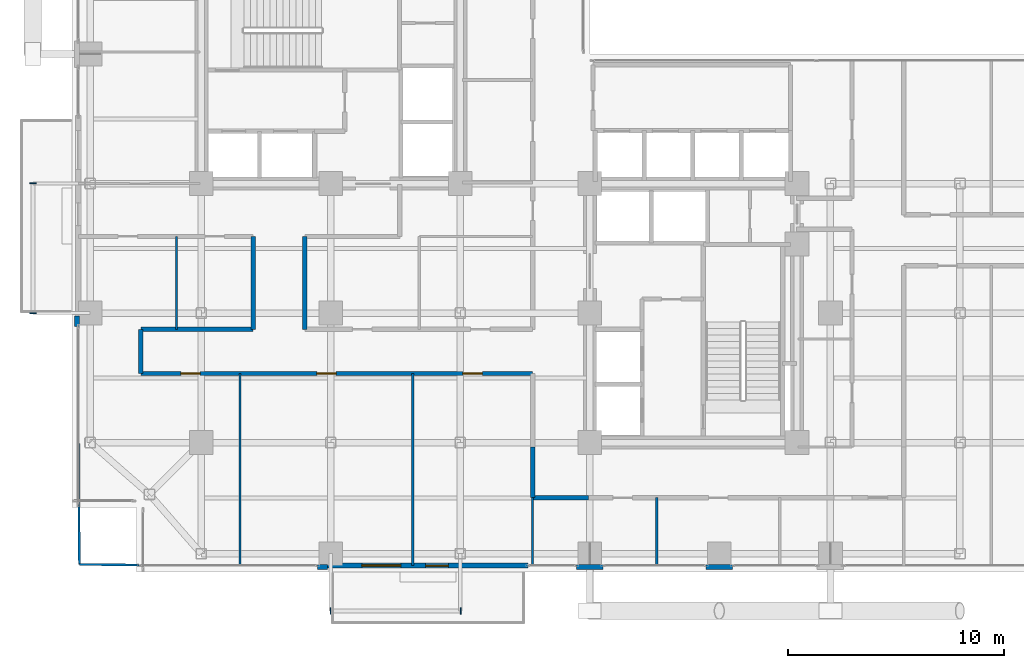
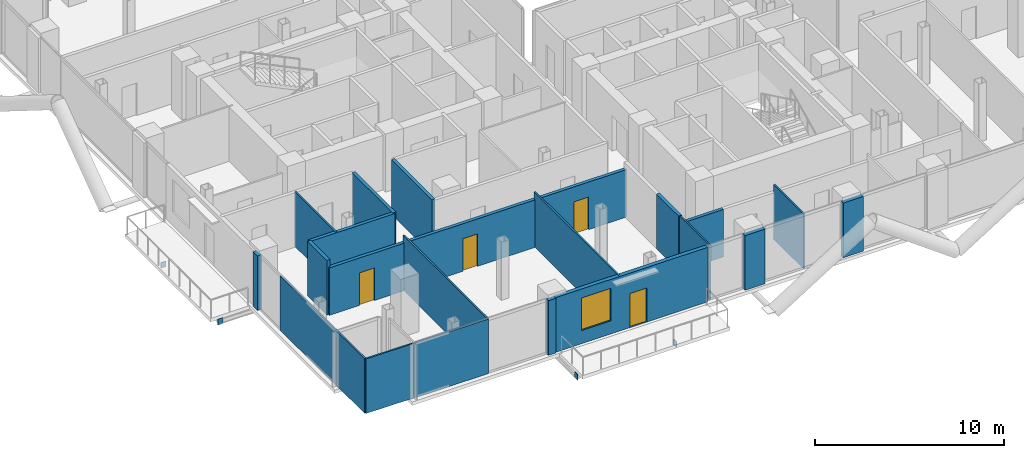
# One storey, part 18 of 24: 19 walls, 4 doors, 4 plates, 1 window, 5 openings.
"""IFC4 building model written with IfcOpenShell, lengths in metres."""

import ifcopenshell
import ifcopenshell.guid

model = None  # the IFC model being written
_history = None  # IfcOwnerHistory: only IFC2X3 demands one
_inside = {}  # id of a spatial element -> (the spatial element, [elements in it])
_under = {}  # id of a project, library or spatial element -> (it, [spatial elements below it])
_declared = {}  # id of a project -> (the project, [libraries it declares])
_typed = {}  # id of a type object -> (the type object, [elements of that type])
_made_of = {}  # id of a material, layer set ... -> (it, [elements and type objects made of it])


def new_model(schema):
    """Start an empty IFC model of exactly this schema.

    Asked for "IFC4X3", IfcOpenShell would pick the latest addendum, in which some entities
    have other attributes; the version numbers below select the first issue.
    IFC2X3 requires an IfcOwnerHistory on every rooted entity: one is made here for all.
    """
    global model, _history
    if schema == "IFC4X3":
        model = ifcopenshell.file(schema_version=(4, 3, 0, 0))
    else:
        model = ifcopenshell.file(schema=schema)
    _inside.clear()
    _under.clear()
    _declared.clear()
    _typed.clear()
    _made_of.clear()
    _history = None
    if model.schema == "IFC2X3":
        org = make("IfcOrganization", Name="unknown")
        user = make(
            "IfcPersonAndOrganization",
            ThePerson=make("IfcPerson", FamilyName="unknown"),
            TheOrganization=org,
        )
        app = make(
            "IfcApplication",
            ApplicationDeveloper=org,
            Version="unknown",
            ApplicationFullName="unknown",
            ApplicationIdentifier="unknown",
        )
        _history = make(
            "IfcOwnerHistory",
            OwningUser=user,
            OwningApplication=app,
            ChangeAction="ADDED",
            CreationDate=0,
        )
    return model


def make(cls, **values):
    """One entity of the class cls with the attributes given. An attribute that is None is left unset."""
    return model.create_entity(
        cls, **{name: value for name, value in values.items() if value is not None}
    )


def rooted(cls, **values):
    """An entity with a GlobalId (a new one), such as an element, a storey or a relation."""
    return make(cls, GlobalId=ifcopenshell.guid.new(), OwnerHistory=_history, **values)


def si_unit(unit_type, name, prefix=None):
    """IfcSIUnit, for example si_unit("LENGTHUNIT", "METRE", prefix="MILLI")."""
    return make("IfcSIUnit", UnitType=unit_type, Prefix=prefix, Name=name)


def assignment(units):
    """IfcUnitAssignment: the units of a project."""
    return None if units is None else make("IfcUnitAssignment", Units=units)


def point(xyz):
    """IfcCartesianPoint."""
    return None if xyz is None else make("IfcCartesianPoint", Coordinates=xyz)


def direction(xyz):
    """IfcDirection."""
    return None if xyz is None else make("IfcDirection", DirectionRatios=xyz)


def frame(location, z_axis=None, x_axis=None):
    """IfcAxis2Placement3D, a coordinate frame: its origin and axes. An axis left out is left unset."""
    return make(
        "IfcAxis2Placement3D",
        Location=point(location),
        Axis=direction(z_axis),
        RefDirection=direction(x_axis),
    )


def frame_2d(location, x_axis=None):
    """IfcAxis2Placement2D, a coordinate frame in the plane: its origin and x axis."""
    return make(
        "IfcAxis2Placement2D", Location=point(location), RefDirection=direction(x_axis)
    )


def origin():
    """The frame at (0, 0, 0) with its axes left unset."""
    return frame((0.0, 0.0, 0.0))


def origin_2d():
    """The frame at (0, 0) in the plane with its x axis left unset."""
    return frame_2d((0.0, 0.0))


def place(relative_to, where):
    """IfcLocalPlacement: puts the frame where relative to a parent placement (None: the world)."""
    return make(
        "IfcLocalPlacement", PlacementRelTo=relative_to, RelativePlacement=where
    )


def context(
    kind, dimensions, precision=None, world=None, true_north=None, identifier=None
):
    """IfcGeometricRepresentationContext, for example the 3D "Model" context."""
    return make(
        "IfcGeometricRepresentationContext",
        ContextIdentifier=identifier,
        ContextType=kind,
        CoordinateSpaceDimension=dimensions,
        Precision=precision,
        WorldCoordinateSystem=world,
        TrueNorth=true_north,
    )


def subcontext(parent, identifier, kind, view, scale=None):
    """IfcGeometricRepresentationSubContext, for example "Body" below "Model"."""
    return make(
        "IfcGeometricRepresentationSubContext",
        ContextIdentifier=identifier,
        ContextType=kind,
        ParentContext=parent,
        TargetScale=scale,
        TargetView=view,
    )


def project(units=None, contexts=None):
    """IfcProject with its units and contexts."""
    return rooted(
        "IfcProject",
        Name="project",
        RepresentationContexts=contexts,
        UnitsInContext=assignment(units),
    )


def spatial(cls, under=None, at=None, **own):
    """A site, building, storey or space (cls), placed at a placement, below another one or the project."""
    s = rooted(cls, ObjectPlacement=at, **own)
    if under is not None:
        _under.setdefault(under.id(), (under, []))[1].append(s)
    return s


def profile(cls, at=None, kind="AREA", **sizes):
    """A parametric profile (cls). Its sizes go by their IFC names, for example OverallWidth=200.0."""
    return make(cls, ProfileType=kind, Position=at, **sizes)


def rectangle(**sizes):
    """IfcRectangleProfileDef."""
    return profile("IfcRectangleProfileDef", **sizes)


def extrude(swept, where, along, depth):
    """IfcExtrudedAreaSolid: the profile swept, set in the frame where, extruded along a direction by depth."""
    return make(
        "IfcExtrudedAreaSolid",
        SweptArea=swept,
        Position=where,
        ExtrudedDirection=direction(along),
        Depth=depth,
    )


def shape(context_of_items, identifier, shape_type, items):
    """IfcShapeRepresentation: the items that make up one representation, for example the "Body"."""
    return make(
        "IfcShapeRepresentation",
        ContextOfItems=context_of_items,
        RepresentationIdentifier=identifier,
        RepresentationType=shape_type,
        Items=items,
    )


def material(Name=None, Category=None):
    """IfcMaterial."""
    return make("IfcMaterial", Name=Name, Category=Category)


def layer(
    of_material, thickness, ventilated=None, Name=None, Category=None, Priority=None
):
    """IfcMaterialLayer: one layer of a wall or slab, of a material (None: an air gap)."""
    return make(
        "IfcMaterialLayer",
        Material=of_material,
        LayerThickness=thickness,
        IsVentilated=ventilated,
        Name=Name,
        Category=Category,
        Priority=Priority,
    )


def layer_set(layers, Name=None):
    """IfcMaterialLayerSet."""
    return make("IfcMaterialLayerSet", MaterialLayers=layers, LayerSetName=Name)


def made_of(thing, what):
    """Note that an element or type object is made of a material, layer set ...; save() writes the relation."""
    if what is not None:
        _made_of.setdefault(what.id(), (what, []))[1].append(thing)
    return thing


def type_object(cls, material=None, **own):
    """A type object (cls), such as IfcWallType, which elements share."""
    return made_of(rooted(cls, **own), material)


def element(
    cls,
    number,
    at=None,
    inside=None,
    cuts=None,
    type_object=None,
    material=None,
    context=None,
    identifier="Body",
    shape_type=None,
    held_by="IfcProductDefinitionShape",
    body=None,
    shapes=None,
    **own,
):
    """One element of the class cls, such as IfcWall. Its Tag is "e" and its number.

    at: its placement. inside: the storey or other place that contains it. cuts: it is an
    opening in that element (IfcRelVoidsElement). A single representation is given by context,
    identifier, shape_type and body (its items); several are given by shapes. held_by: the class
    of the entity that holds the representations. save() writes the other relations.
    """
    e = rooted(cls, Tag="e%d" % number, ObjectPlacement=at, **own)
    if body is not None:
        shapes = [shape(context, identifier, shape_type, body)]
    if shapes is not None:
        e.Representation = make(held_by, Representations=shapes)
    if inside is not None:
        _inside.setdefault(inside.id(), (inside, []))[1].append(e)
    if cuts is not None:
        rooted(
            "IfcRelVoidsElement", RelatingBuildingElement=cuts, RelatedOpeningElement=e
        )
    if type_object is not None:
        _typed.setdefault(type_object.id(), (type_object, []))[1].append(e)
    return made_of(e, material)


def fill(opening, filler):
    """IfcRelFillsElement: the door or window that sits in an opening."""
    return rooted(
        "IfcRelFillsElement",
        RelatingOpeningElement=opening,
        RelatedBuildingElement=filler,
    )


def aggregate(whole, parts):
    """IfcRelAggregates: a whole, such as a stair, and the parts it consists of."""
    return rooted("IfcRelAggregates", RelatingObject=whole, RelatedObjects=parts)


def save(model, path):
    """Write the relations noted so far, then the file.

    IfcRelAggregates (storeys below a building ...), IfcRelContainedInSpatialStructure (elements
    in a storey), IfcRelDefinesByType, IfcRelAssociatesMaterial and IfcRelDeclares: one each for
    every whole, place, type object, material and project.
    """
    for whole, parts in _under.values():
        aggregate(whole, parts)
    for where, things in _inside.values():
        rooted(
            "IfcRelContainedInSpatialStructure",
            RelatedElements=things,
            RelatingStructure=where,
        )
    for kind, things in _typed.values():
        rooted("IfcRelDefinesByType", RelatedObjects=things, RelatingType=kind)
    for what, things in _made_of.values():
        rooted("IfcRelAssociatesMaterial", RelatedObjects=things, RelatingMaterial=what)
    for by, libraries in _declared.values():
        rooted("IfcRelDeclares", RelatingContext=by, RelatedDefinitions=libraries)
    model.write(path)


model = new_model("IFC4")

# Units and contexts
model_context = context("Model", 3, precision=1e-05, world=origin(), true_north=direction((0.0, 1.0)))
body_context = subcontext(model_context, "Body", "Model", "MODEL_VIEW")
ifc_project = project(units=[si_unit("LENGTHUNIT", "METRE"), si_unit("AREAUNIT", "SQUARE_METRE"), si_unit("VOLUMEUNIT", "CUBIC_METRE"), si_unit("PLANEANGLEUNIT", "RADIAN"), si_unit("MASSUNIT", "GRAM", prefix="KILO"), si_unit("THERMODYNAMICTEMPERATUREUNIT", "KELVIN"), si_unit("POWERUNIT", "WATT")], contexts=[model_context])

# Site, building, storey
site_placement = place(None, origin())
site = spatial("IfcSite", under=ifc_project, at=site_placement, CompositionType="ELEMENT")
building_placement = place(site_placement, origin())
building = spatial("IfcBuilding", under=site, at=building_placement, Name="Svarakhadi Broadcast Tower", CompositionType="ELEMENT")
storey_placement = place(building_placement, frame((0.0, 0.0, 145.64990234375)))
storey = spatial("IfcBuildingStorey", under=building, at=storey_placement, Name="L35", CompositionType="ELEMENT", Elevation=145.64990234375)

# Plates
ifc_material_1 = material(Name="Steel S460ML (IS 2062 E450BR)", Category="steel")
ifc_layer_1 = layer(ifc_material_1, 0.028076171875)
ifc_layer_set_1 = layer_set([ifc_layer_1], Name="Steel S460ML (IS 2062 E450BR)")
plate_type = type_object("IfcPlateType", Name="Cap_Plate_CP02", PredefinedType="USERDEFINED", material=ifc_layer_set_1)
for number, where, z_axis, x_axis, name in (
    (1, (11.985107421875, -1.800048828125, -0.55517578125), (0.0, 0.0, 1.0), (1.0, 0.0, 0.0), "L35 Balcony Spandrel End Cap Plate 1F-A"),
    (2, (18.014892578125, -1.800048828125, -0.55517578125), (0.0, 0.0, 1.0), (1.0, 0.0, 0.0), "L35 Balcony Spandrel End Cap Plate 1F-B"),
):
    element("IfcPlate", number, at=place(storey_placement, frame(where, z_axis=z_axis, x_axis=x_axis)), inside=storey, type_object=plate_type, Name=name, ObjectType="FLANGE_PLATE", PredefinedType="USERDEFINED", context=body_context, shape_type="SweptSolid", body=[
        extrude(rectangle(XDim=0.0400390625, YDim=0.300048828125, at=origin_2d()), origin(), (0.0, 0.0, 1.0), 0.360107421875),
    ])
for number, where, z_axis, x_axis, name in (
    (3, (-1.800048828125, 11.985107421875, -0.55517578125), (0.0, 0.0, 1.0), (1.0, 0.0, 0.0), "L35 Balcony Spandrel End Cap Plate 2F-A"),
    (4, (-1.800048828125, 18.014892578125, -0.55517578125), (0.0, 0.0, 1.0), (1.0, 0.0, 0.0), "L35 Balcony Spandrel End Cap Plate 2F-B"),
):
    element("IfcPlate", number, at=place(storey_placement, frame(where, z_axis=z_axis, x_axis=x_axis)), inside=storey, type_object=plate_type, Name=name, ObjectType="FLANGE_PLATE", PredefinedType="USERDEFINED", context=body_context, shape_type="SweptSolid", body=[
        extrude(rectangle(XDim=0.300048828125, YDim=0.0400390625, at=origin_2d()), origin(), (0.0, 0.0, 1.0), 0.360107421875),
    ])

# Walls
ifc_material_2 = material(Name="Double-Stud Acoustic Studio Partition STC-62", Category="gypsum")
ifc_layer_2 = layer(ifc_material_2, 0.199951171875)
ifc_layer_set_2 = layer_set([ifc_layer_2], Name="Double-Stud Acoustic Studio Partition STC-62")
wall_type_1 = type_object("IfcWallType", Name="Wall_Acoust_200", PredefinedType="PARTITIONING", material=ifc_layer_set_2)
wall_1_placement = place(storey_placement, frame((23.949951171875, 3.449951171875, 0.0), z_axis=(0.0, 0.0, 1.0), x_axis=(-1.0, 0.0, 0.0)))
element("IfcWall", 5, at=wall_1_placement, inside=storey, type_object=wall_type_1, Name="L35 Zone 2/3 Corridor Wall", PredefinedType="PARTITIONING", context=body_context, shape_type="SweptSolid", body=[
    extrude(rectangle(XDim=2.599853515625, YDim=0.199951171875, at=frame_2d((1.2998046875, 0.0))), origin(), (0.0, 0.0, 1.0), 3.067138671875),
])
wall_2_placement = place(storey_placement, frame((21.35009765625, 3.449951171875, 0.0), z_axis=(0.0, 0.0, 1.0), x_axis=(0.0, 1.0, 0.0)))
element("IfcWall", 6, at=wall_2_placement, inside=storey, type_object=wall_type_1, Name="L35 Zone 2/3 Corridor Wall", PredefinedType="PARTITIONING", context=body_context, shape_type="SweptSolid", body=[
    extrude(rectangle(XDim=2.35009765625, YDim=0.199951171875, at=frame_2d((1.175048828125, 0.0))), origin(), (0.0, 0.0, 1.0), 3.525146484375),
])

# Wall, openings, doors
wall_3_placement = place(storey_placement, frame((21.35009765625, 9.199951171875, 0.0), z_axis=(0.0, 0.0, 1.0), x_axis=(-1.0, 0.0, 0.0)))
wall_3 = element("IfcWall", 7, at=wall_3_placement, inside=storey, type_object=wall_type_1, Name="L35 Zone 2/3 Corridor Wall", PredefinedType="PARTITIONING", context=body_context, shape_type="SweptSolid", body=[
    extrude(rectangle(XDim=18.150146484375, YDim=0.199951171875, at=frame_2d((9.0751953125, 0.0))), origin(), (0.0, 0.0, 1.0), 3.067138671875),
])
opening_1_placement = place(wall_3_placement, frame((15.39990234375, 0.0, 0.0)))
opening_1 = element("IfcOpeningElement", 8, at=opening_1_placement, cuts=wall_3, Name="Opening D-15", PredefinedType="OPENING", context=body_context, shape_type="SweptSolid", body=[
    extrude(rectangle(XDim=0.89990234375, YDim=2.10009765625, at=frame_2d((0.449951171875, 1.050048828125))), frame((0.0, 0.10986328125, 0.0), z_axis=(0.0, -1.0, 0.0), x_axis=(1.0, 0.0, 0.0)), (0.0, 0.0, 1.0), 0.219970703125),
])
opening_2_placement = place(wall_3_placement, frame((9.10009765625, 0.0, 0.0)))
opening_2 = element("IfcOpeningElement", 9, at=opening_2_placement, cuts=wall_3, Name="Opening D-14", PredefinedType="OPENING", context=body_context, shape_type="SweptSolid", body=[
    extrude(rectangle(XDim=0.89990234375, YDim=2.10009765625, at=frame_2d((0.449951171875, 1.050048828125))), frame((0.0, 0.10986328125, 0.0), z_axis=(0.0, -1.0, 0.0), x_axis=(1.0, 0.0, 0.0)), (0.0, 0.0, 1.0), 0.219970703125),
])
opening_3_placement = place(wall_3_placement, frame((2.324951171875, 0.0, 0.0)))
opening_3 = element("IfcOpeningElement", 10, at=opening_3_placement, cuts=wall_3, Name="Opening D-15", PredefinedType="OPENING", context=body_context, shape_type="SweptSolid", body=[
    extrude(rectangle(XDim=0.89990234375, YDim=2.10009765625, at=frame_2d((0.449951171875, 1.050048828125))), frame((0.0, 0.10986328125, 0.0), z_axis=(0.0, -1.0, 0.0), x_axis=(1.0, 0.0, 0.0)), (0.0, 0.0, 1.0), 0.219970703125),
])
ifc_material_3 = material(Name="Solid-Core Teak Veneer Acoustic Timber Leaf", Category="wood")
door_type_1 = type_object("IfcDoorType", Name="Door_Int_D14", OperationType="SINGLE_SWING_LEFT", PredefinedType="DOOR", material=ifc_material_3)
door_1_placement = place(opening_2_placement, origin())
door_1 = element("IfcDoor", 11, at=door_1_placement, inside=storey, type_object=door_type_1, Name="L35 Motion Capture Volume Studio Door", OperationType="SINGLE_SWING_LEFT", OverallHeight=2.10009765625, OverallWidth=0.89990234375, PredefinedType="DOOR", context=body_context, shape_type="SweptSolid", body=[
    extrude(rectangle(XDim=0.89990234375, YDim=2.10009765625, at=frame_2d((0.449951171875, 1.050048828125))), frame((0.0, 0.02490234375, 0.0), z_axis=(0.0, -1.0, 0.0), x_axis=(1.0, 0.0, 0.0)), (0.0, 0.0, 1.0), 0.050048828125),
])
fill(opening_2, door_1)
door_type_2 = type_object("IfcDoorType", Name="Door_Int_D15", OperationType="SINGLE_SWING_RIGHT", PredefinedType="DOOR", material=ifc_material_3)
door_2_placement = place(opening_1_placement, origin())
door_2 = element("IfcDoor", 12, at=door_2_placement, inside=storey, type_object=door_type_2, Name="L35 Unreal Virtual Production Lab Door", OperationType="SINGLE_SWING_RIGHT", OverallHeight=2.10009765625, OverallWidth=0.89990234375, PredefinedType="DOOR", context=body_context, shape_type="SweptSolid", body=[
    extrude(rectangle(XDim=0.89990234375, YDim=2.10009765625, at=frame_2d((0.449951171875, 1.050048828125))), frame((0.0, 0.02490234375, 0.0), z_axis=(0.0, -1.0, 0.0), x_axis=(1.0, 0.0, 0.0)), (0.0, 0.0, 1.0), 0.050048828125),
])
fill(opening_1, door_2)
door_3_placement = place(opening_3_placement, origin())
door_3 = element("IfcDoor", 13, at=door_3_placement, inside=storey, type_object=door_type_2, Name="L35 GPU Render Farm Room Door", OperationType="SINGLE_SWING_RIGHT", OverallHeight=2.10009765625, OverallWidth=0.89990234375, PredefinedType="DOOR", context=body_context, shape_type="SweptSolid", body=[
    extrude(rectangle(XDim=0.89990234375, YDim=2.10009765625, at=frame_2d((0.449951171875, 1.050048828125))), frame((0.0, 0.02490234375, 0.0), z_axis=(0.0, -1.0, 0.0), x_axis=(1.0, 0.0, 0.0)), (0.0, 0.0, 1.0), 0.050048828125),
])
fill(opening_3, door_3)

# Walls
wall_4_placement = place(storey_placement, frame((3.199951171875, 9.199951171875, 0.0), z_axis=(0.0, 0.0, 1.0), x_axis=(0.0, 1.0, 0.0)))
element("IfcWall", 14, at=wall_4_placement, inside=storey, type_object=wall_type_1, Name="L35 Zone 2/3 Corridor Wall", PredefinedType="PARTITIONING", context=body_context, shape_type="SweptSolid", body=[
    extrude(rectangle(XDim=2.050048828125, YDim=0.199951171875, at=frame_2d((1.02490234375, 0.0))), origin(), (0.0, 0.0, 1.0), 3.525146484375),
])
wall_5_placement = place(storey_placement, frame((3.199951171875, 11.25, 0.0), z_axis=(0.0, 0.0, 1.0), x_axis=(1.0, 0.0, 0.0)))
element("IfcWall", 15, at=wall_5_placement, inside=storey, type_object=wall_type_1, Name="L35 Zone 2/3 Corridor Wall", PredefinedType="PARTITIONING", context=body_context, shape_type="SweptSolid", body=[
    extrude(rectangle(XDim=5.199951171875, YDim=0.199951171875, at=frame_2d((2.60009765625, 0.0))), origin(), (0.0, 0.0, 1.0), 3.525146484375),
])
for number, where, z_axis, x_axis, name in (
    (16, (8.39990234375, 11.25, 0.0), (0.0, 0.0, 1.0), (0.0, 1.0, 0.0), "L35 Zone 2/3 Corridor Wall"),
    (17, (10.800048828125, 15.550048828125, 0.0), (0.0, 0.0, 1.0), (0.0, -1.0, 0.0), "L35 Zone 2/3 Corridor Wall"),
):
    element("IfcWall", number, at=place(storey_placement, frame(where, z_axis=z_axis, x_axis=x_axis)), inside=storey, type_object=wall_type_1, Name=name, PredefinedType="PARTITIONING", context=body_context, shape_type="SweptSolid", body=[
        extrude(rectangle(XDim=4.300048828125, YDim=0.199951171875, at=frame_2d((2.14990234375, 0.0))), origin(), (0.0, 0.0, 1.0), 3.525146484375),
    ])

# Wall, openings, door, window
ifc_material_4 = material(Name="Concrete C40/50 (IS 456 M50)", Category="concrete")
ifc_layer_3 = layer(ifc_material_4, 0.239990234375)
ifc_layer_set_3 = layer_set([ifc_layer_3], Name="Concrete C40/50 (IS 456 M50)")
wall_type_2 = type_object("IfcWallType", Name="Wall_Ext_240", PredefinedType="SOLIDWALL", material=ifc_layer_set_3)
wall_6_placement = place(storey_placement, frame((21.14501953125, 0.300048828125, 0.0), z_axis=(0.0, 0.0, 1.0), x_axis=(-1.0, 0.0, 0.0)))
wall_6 = element("IfcWall", 18, at=wall_6_placement, inside=storey, type_object=wall_type_2, Name="L35 South Tree Balcony Spandrel Wall", PredefinedType="SOLIDWALL", context=body_context, shape_type="SweptSolid", body=[
    extrude(rectangle(XDim=9.2900390625, YDim=0.239990234375, at=frame_2d((4.64501953125, 0.0))), origin(), (0.0, 0.0, 1.0), 3.525146484375),
])
opening_4_placement = place(wall_6_placement, frame((3.699951171875, 0.0, 0.0)))
opening_4 = element("IfcOpeningElement", 19, at=opening_4_placement, cuts=wall_6, Name="Opening ED-05", PredefinedType="OPENING", context=body_context, shape_type="SweptSolid", body=[
    extrude(rectangle(XDim=1.050048828125, YDim=2.199951171875, at=frame_2d((0.52490234375, 1.10009765625))), frame((0.0, 0.1298828125, 0.0), z_axis=(0.0, -1.0, 0.0), x_axis=(1.0, 0.0, 0.0)), (0.0, 0.0, 1.0), 0.260009765625),
])
opening_5_placement = place(wall_6_placement, frame((5.89990234375, 0.0, 0.85009765625)))
opening_5 = element("IfcOpeningElement", 20, at=opening_5_placement, cuts=wall_6, Name="Opening WN-02", PredefinedType="OPENING", context=body_context, shape_type="SweptSolid", body=[
    extrude(rectangle(XDim=1.800048828125, YDim=2.10009765625, at=frame_2d((0.89990234375, 1.050048828125))), frame((0.0, 0.1298828125, 0.0), z_axis=(0.0, -1.0, 0.0), x_axis=(1.0, 0.0, 0.0)), (0.0, 0.0, 1.0), 0.260009765625),
])
ifc_material_5 = material(Name="Anodised Bronze Aluminium AA 6063-T6", Category="aluminium")
door_type_3 = type_object("IfcDoorType", Name="Door_Ext_ED05", OperationType="SINGLE_SWING_LEFT", PredefinedType="DOOR", material=ifc_material_5)
door_4_placement = place(opening_4_placement, origin())
door_4 = element("IfcDoor", 21, at=door_4_placement, inside=storey, type_object=door_type_3, Name="L35 South Tree Balcony Door", OperationType="SINGLE_SWING_LEFT", OverallHeight=2.199951171875, OverallWidth=1.050048828125, PredefinedType="DOOR", context=body_context, shape_type="SweptSolid", body=[
    extrude(rectangle(XDim=1.050048828125, YDim=2.199951171875, at=frame_2d((0.52490234375, 1.10009765625))), frame((0.0, 0.02490234375, 0.0), z_axis=(0.0, -1.0, 0.0), x_axis=(1.0, 0.0, 0.0)), (0.0, 0.0, 1.0), 0.050048828125),
])
fill(opening_4, door_4)
ifc_material_6 = material(Name="Double Low-E Laminated Acoustic Glass IGU 36 mm", Category="glass")
window_type = type_object("IfcWindowType", Name="Win_Fixed_WN02", PartitioningType="SINGLE_PANEL", PredefinedType="WINDOW", material=ifc_material_6)
window_placement = place(opening_5_placement, origin())
window = element("IfcWindow", 22, at=window_placement, inside=storey, type_object=window_type, Name="L35 South Tree Balcony Window", OverallHeight=2.10009765625, OverallWidth=1.800048828125, PartitioningType="SINGLE_PANEL", PredefinedType="WINDOW", context=body_context, shape_type="SweptSolid", body=[
    extrude(rectangle(XDim=1.800048828125, YDim=2.10009765625, at=frame_2d((0.89990234375, 1.050048828125))), frame((0.0, 0.030029296875, 0.0), z_axis=(0.0, -1.0, 0.0), x_axis=(1.0, 0.0, 0.0)), (0.0, 0.0, 1.0), 0.06005859375),
])
fill(opening_5, window)

# Walls
wall_7_placement = place(storey_placement, frame((0.239990234375, 11.385009765625, 0.0), z_axis=(0.0, 0.0, 1.0), x_axis=(0.0, 1.0, 0.0)))
element("IfcWall", 23, at=wall_7_placement, inside=storey, type_object=wall_type_2, Name="L35 Perimeter Bronze Spandrel Closure Wall 01", PredefinedType="SOLIDWALL", context=body_context, shape_type="SweptSolid", body=[
    extrude(rectangle(XDim=0.469970703125, YDim=0.239990234375, at=frame_2d((0.23486328125, 0.0))), origin(), (0.0, 0.0, 1.0), 3.525146484375),
])
for number, where, z_axis, x_axis, name in (
    (24, (30.614990234375, 0.239990234375, 0.0), (0.0, 0.0, 1.0), (-1.0, 0.0, 0.0), "L35 Perimeter Bronze Spandrel Closure Wall 08"),
    (25, (24.614990234375, 0.239990234375, 0.0), (0.0, 0.0, 1.0), (-1.0, 0.0, 0.0), "L35 Perimeter Bronze Spandrel Closure Wall 09"),
):
    element("IfcWall", number, at=place(storey_placement, frame(where, z_axis=z_axis, x_axis=x_axis)), inside=storey, type_object=wall_type_2, Name=name, PredefinedType="SOLIDWALL", context=body_context, shape_type="SweptSolid", body=[
        extrude(rectangle(XDim=1.22998046875, YDim=0.239990234375, at=frame_2d((0.614990234375, 0.0))), origin(), (0.0, 0.0, 1.0), 3.525146484375),
    ])
wall_8_placement = place(storey_placement, frame((11.85498046875, 0.239990234375, 0.0), z_axis=(0.0, 0.0, 1.0), x_axis=(-1.0, 0.0, 0.0)))
element("IfcWall", 26, at=wall_8_placement, inside=storey, type_object=wall_type_2, Name="L35 Perimeter Bronze Spandrel Closure Wall 10", PredefinedType="SOLIDWALL", context=body_context, shape_type="SweptSolid", body=[
    extrude(rectangle(XDim=0.469970703125, YDim=0.239990234375, at=frame_2d((0.23486328125, 0.0))), origin(), (0.0, 0.0, 1.0), 3.525146484375),
])
ifc_material_7 = material(Name="Fire-Rated Moisture-Resistant Gypsum Board Partition", Category="gypsum")
ifc_layer_4 = layer(ifc_material_7, 0.10009765625)
ifc_layer_set_4 = layer_set([ifc_layer_4], Name="Fire-Rated Moisture-Resistant Gypsum Board Partition")
wall_type_3 = type_object("IfcWallType", Name="Wall_Part_100", PredefinedType="PARTITIONING", material=ifc_layer_set_4)
for number, where, z_axis, x_axis, name in (
    (27, (21.35009765625, 0.300048828125, 0.0), (0.0, 0.0, 1.0), (0.0, 1.0, 0.0), "L35 Harbour Front Production Office Wall"),
    (28, (27.10009765625, 0.300048828125, 0.0), (0.0, 0.0, 1.0), (0.0, 1.0, 0.0), "L35 Harbour Front Production Office Wall"),
):
    element("IfcWall", number, at=place(storey_placement, frame(where, z_axis=z_axis, x_axis=x_axis)), inside=storey, type_object=wall_type_3, Name=name, PredefinedType="PARTITIONING", context=body_context, shape_type="SweptSolid", body=[
        extrude(rectangle(XDim=3.14990234375, YDim=0.10009765625, at=frame_2d((1.574951171875, 0.0))), origin(), (0.0, 0.0, 1.0), 3.525146484375),
    ])
wall_9_placement = place(storey_placement, frame((0.35009765625, 0.35009765625, 0.0), z_axis=(0.0, 0.0, 1.0), x_axis=(0.999977434951, -0.006717855945, 0.0)))
element("IfcWall", 29, at=wall_9_placement, inside=storey, type_object=wall_type_3, Name="L35 Unreal Virtual Production Lab Wall", PredefinedType="PARTITIONING", context=body_context, shape_type="SweptSolid", body=[
    extrude(rectangle(XDim=7.4501953125, YDim=0.10009765625, at=frame_2d((3.72509765625, 0.0))), origin(), (0.0, 0.0, 1.0), 3.525146484375),
])
wall_10_placement = place(storey_placement, frame((0.35009765625, 0.35009765625, 0.0), z_axis=(0.0, 0.0, 1.0), x_axis=(-0.005655237989, 0.999984009014, 0.0)))
element("IfcWall", 30, at=wall_10_placement, inside=storey, type_object=wall_type_3, Name="L35 Unreal Virtual Production Lab Wall", PredefinedType="PARTITIONING", context=body_context, shape_type="SweptSolid", body=[
    extrude(rectangle(XDim=8.85009765625, YDim=0.10009765625, at=frame_2d((4.425048828125, 0.0))), origin(), (0.0, 0.0, 1.0), 3.525146484375),
])
for number, where, z_axis, x_axis, name in (
    (31, (7.800048828125, 0.300048828125, 0.0), (0.0, 0.0, 1.0), (0.0, 1.0, 0.0), "L35 Unreal Virtual Production Lab Wall"),
    (32, (15.800048828125, 0.300048828125, 0.0), (0.0, 0.0, 1.0), (0.0, 1.0, 0.0), "L35 Motion Capture Volume Studio Wall"),
):
    element("IfcWall", number, at=place(storey_placement, frame(where, z_axis=z_axis, x_axis=x_axis)), inside=storey, type_object=wall_type_3, Name=name, PredefinedType="PARTITIONING", context=body_context, shape_type="SweptSolid", body=[
        extrude(rectangle(XDim=8.89990234375, YDim=0.10009765625, at=frame_2d((4.449951171875, 0.0))), origin(), (0.0, 0.0, 1.0), 3.525146484375),
    ])
wall_11_placement = place(storey_placement, frame((4.85009765625, 11.25, 0.0), z_axis=(0.0, 0.0, 1.0), x_axis=(0.0, 1.0, 0.0)))
element("IfcWall", 33, at=wall_11_placement, inside=storey, type_object=wall_type_3, Name="L35 Photogrammetry Rig Room Wall", PredefinedType="PARTITIONING", context=body_context, shape_type="SweptSolid", body=[
    extrude(rectangle(XDim=4.300048828125, YDim=0.10009765625, at=frame_2d((2.14990234375, 0.0))), origin(), (0.0, 0.0, 1.0), 3.525146484375),
])

save(model, "model.ifc")
